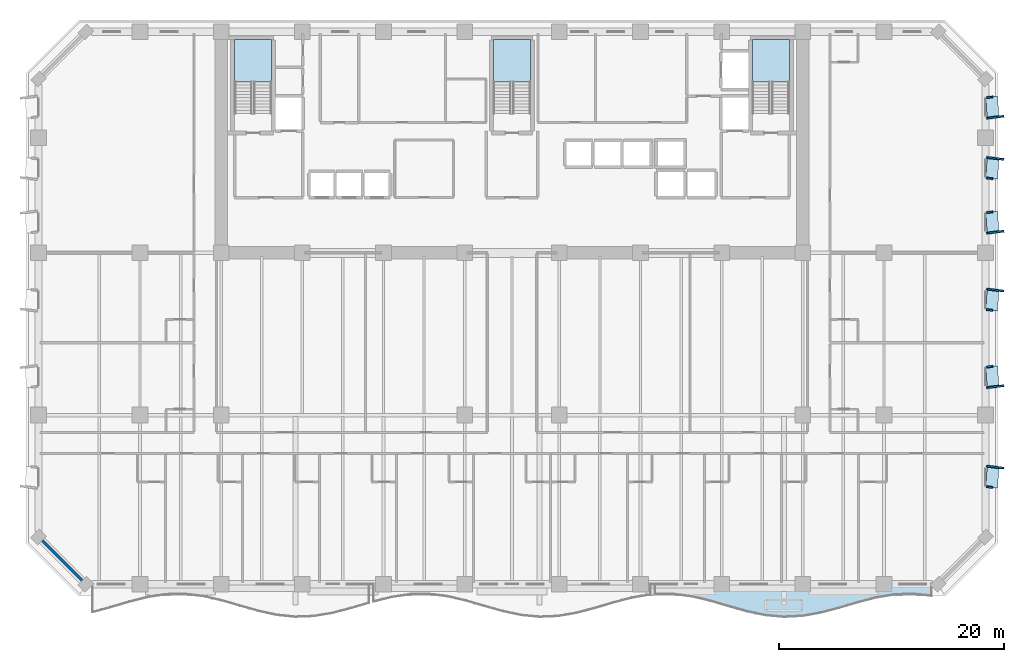
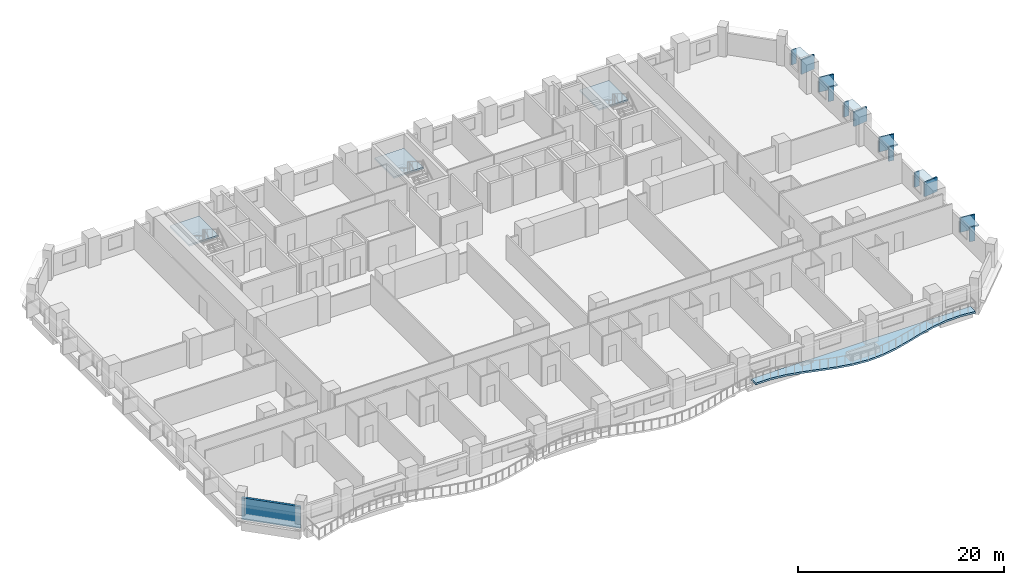
# One storey, part 3 of 15: 18 plates, 4 slabs, 1 wall, 3 elements without a shape of their own.
"""IFC4 building model written with IfcOpenShell, lengths in metres."""

import ifcopenshell
import ifcopenshell.guid

model = None  # the IFC model being written
_history = None  # IfcOwnerHistory: only IFC2X3 demands one
_inside = {}  # id of a spatial element -> (the spatial element, [elements in it])
_under = {}  # id of a project, library or spatial element -> (it, [spatial elements below it])
_declared = {}  # id of a project -> (the project, [libraries it declares])
_typed = {}  # id of a type object -> (the type object, [elements of that type])
_made_of = {}  # id of a material, layer set ... -> (it, [elements and type objects made of it])


def new_model(schema):
    """Start an empty IFC model of exactly this schema.

    Asked for "IFC4X3", IfcOpenShell would pick the latest addendum, in which some entities
    have other attributes; the version numbers below select the first issue.
    IFC2X3 requires an IfcOwnerHistory on every rooted entity: one is made here for all.
    """
    global model, _history
    if schema == "IFC4X3":
        model = ifcopenshell.file(schema_version=(4, 3, 0, 0))
    else:
        model = ifcopenshell.file(schema=schema)
    _inside.clear()
    _under.clear()
    _declared.clear()
    _typed.clear()
    _made_of.clear()
    _history = None
    if model.schema == "IFC2X3":
        org = make("IfcOrganization", Name="unknown")
        user = make(
            "IfcPersonAndOrganization",
            ThePerson=make("IfcPerson", FamilyName="unknown"),
            TheOrganization=org,
        )
        app = make(
            "IfcApplication",
            ApplicationDeveloper=org,
            Version="unknown",
            ApplicationFullName="unknown",
            ApplicationIdentifier="unknown",
        )
        _history = make(
            "IfcOwnerHistory",
            OwningUser=user,
            OwningApplication=app,
            ChangeAction="ADDED",
            CreationDate=0,
        )
    return model


def make(cls, **values):
    """One entity of the class cls with the attributes given. An attribute that is None is left unset."""
    return model.create_entity(
        cls, **{name: value for name, value in values.items() if value is not None}
    )


def rooted(cls, **values):
    """An entity with a GlobalId (a new one), such as an element, a storey or a relation."""
    return make(cls, GlobalId=ifcopenshell.guid.new(), OwnerHistory=_history, **values)


def si_unit(unit_type, name, prefix=None):
    """IfcSIUnit, for example si_unit("LENGTHUNIT", "METRE", prefix="MILLI")."""
    return make("IfcSIUnit", UnitType=unit_type, Prefix=prefix, Name=name)


def assignment(units):
    """IfcUnitAssignment: the units of a project."""
    return None if units is None else make("IfcUnitAssignment", Units=units)


def point(xyz):
    """IfcCartesianPoint."""
    return None if xyz is None else make("IfcCartesianPoint", Coordinates=xyz)


def direction(xyz):
    """IfcDirection."""
    return None if xyz is None else make("IfcDirection", DirectionRatios=xyz)


def frame(location, z_axis=None, x_axis=None):
    """IfcAxis2Placement3D, a coordinate frame: its origin and axes. An axis left out is left unset."""
    return make(
        "IfcAxis2Placement3D",
        Location=point(location),
        Axis=direction(z_axis),
        RefDirection=direction(x_axis),
    )


def frame_2d(location, x_axis=None):
    """IfcAxis2Placement2D, a coordinate frame in the plane: its origin and x axis."""
    return make(
        "IfcAxis2Placement2D", Location=point(location), RefDirection=direction(x_axis)
    )


def origin():
    """The frame at (0, 0, 0) with its axes left unset."""
    return frame((0.0, 0.0, 0.0))


def origin_2d():
    """The frame at (0, 0) in the plane with its x axis left unset."""
    return frame_2d((0.0, 0.0))


def place(relative_to, where):
    """IfcLocalPlacement: puts the frame where relative to a parent placement (None: the world)."""
    return make(
        "IfcLocalPlacement", PlacementRelTo=relative_to, RelativePlacement=where
    )


def context(
    kind, dimensions, precision=None, world=None, true_north=None, identifier=None
):
    """IfcGeometricRepresentationContext, for example the 3D "Model" context."""
    return make(
        "IfcGeometricRepresentationContext",
        ContextIdentifier=identifier,
        ContextType=kind,
        CoordinateSpaceDimension=dimensions,
        Precision=precision,
        WorldCoordinateSystem=world,
        TrueNorth=true_north,
    )


def subcontext(parent, identifier, kind, view, scale=None):
    """IfcGeometricRepresentationSubContext, for example "Body" below "Model"."""
    return make(
        "IfcGeometricRepresentationSubContext",
        ContextIdentifier=identifier,
        ContextType=kind,
        ParentContext=parent,
        TargetScale=scale,
        TargetView=view,
    )


def project(units=None, contexts=None):
    """IfcProject with its units and contexts."""
    return rooted(
        "IfcProject",
        Name="project",
        RepresentationContexts=contexts,
        UnitsInContext=assignment(units),
    )


def spatial(cls, under=None, at=None, **own):
    """A site, building, storey or space (cls), placed at a placement, below another one or the project."""
    s = rooted(cls, ObjectPlacement=at, **own)
    if under is not None:
        _under.setdefault(under.id(), (under, []))[1].append(s)
    return s


def polyline(points):
    """IfcPolyline through the points."""
    return make("IfcPolyline", Points=[point(p) for p in points])


def profile(cls, at=None, kind="AREA", **sizes):
    """A parametric profile (cls). Its sizes go by their IFC names, for example OverallWidth=200.0."""
    return make(cls, ProfileType=kind, Position=at, **sizes)


def rectangle(**sizes):
    """IfcRectangleProfileDef."""
    return profile("IfcRectangleProfileDef", **sizes)


def outline(outer, holes=None, kind="AREA"):
    """IfcArbitraryClosedProfileDef: a profile drawn as a closed curve; with holes, ...WithVoids."""
    if holes is None:
        return make("IfcArbitraryClosedProfileDef", ProfileType=kind, OuterCurve=outer)
    return make(
        "IfcArbitraryProfileDefWithVoids",
        ProfileType=kind,
        OuterCurve=outer,
        InnerCurves=holes,
    )


def extrude(swept, where, along, depth):
    """IfcExtrudedAreaSolid: the profile swept, set in the frame where, extruded along a direction by depth."""
    return make(
        "IfcExtrudedAreaSolid",
        SweptArea=swept,
        Position=where,
        ExtrudedDirection=direction(along),
        Depth=depth,
    )


def shape(context_of_items, identifier, shape_type, items):
    """IfcShapeRepresentation: the items that make up one representation, for example the "Body"."""
    return make(
        "IfcShapeRepresentation",
        ContextOfItems=context_of_items,
        RepresentationIdentifier=identifier,
        RepresentationType=shape_type,
        Items=items,
    )


def material(Name=None, Category=None):
    """IfcMaterial."""
    return make("IfcMaterial", Name=Name, Category=Category)


def layer(
    of_material, thickness, ventilated=None, Name=None, Category=None, Priority=None
):
    """IfcMaterialLayer: one layer of a wall or slab, of a material (None: an air gap)."""
    return make(
        "IfcMaterialLayer",
        Material=of_material,
        LayerThickness=thickness,
        IsVentilated=ventilated,
        Name=Name,
        Category=Category,
        Priority=Priority,
    )


def layer_set(layers, Name=None):
    """IfcMaterialLayerSet."""
    return make("IfcMaterialLayerSet", MaterialLayers=layers, LayerSetName=Name)


def made_of(thing, what):
    """Note that an element or type object is made of a material, layer set ...; save() writes the relation."""
    if what is not None:
        _made_of.setdefault(what.id(), (what, []))[1].append(thing)
    return thing


def type_object(cls, material=None, **own):
    """A type object (cls), such as IfcWallType, which elements share."""
    return made_of(rooted(cls, **own), material)


def element(
    cls,
    number,
    at=None,
    inside=None,
    cuts=None,
    type_object=None,
    material=None,
    context=None,
    identifier="Body",
    shape_type=None,
    held_by="IfcProductDefinitionShape",
    body=None,
    shapes=None,
    **own,
):
    """One element of the class cls, such as IfcWall. Its Tag is "e" and its number.

    at: its placement. inside: the storey or other place that contains it. cuts: it is an
    opening in that element (IfcRelVoidsElement). A single representation is given by context,
    identifier, shape_type and body (its items); several are given by shapes. held_by: the class
    of the entity that holds the representations. save() writes the other relations.
    """
    e = rooted(cls, Tag="e%d" % number, ObjectPlacement=at, **own)
    if body is not None:
        shapes = [shape(context, identifier, shape_type, body)]
    if shapes is not None:
        e.Representation = make(held_by, Representations=shapes)
    if inside is not None:
        _inside.setdefault(inside.id(), (inside, []))[1].append(e)
    if cuts is not None:
        rooted(
            "IfcRelVoidsElement", RelatingBuildingElement=cuts, RelatedOpeningElement=e
        )
    if type_object is not None:
        _typed.setdefault(type_object.id(), (type_object, []))[1].append(e)
    return made_of(e, material)


def aggregate(whole, parts):
    """IfcRelAggregates: a whole, such as a stair, and the parts it consists of."""
    return rooted("IfcRelAggregates", RelatingObject=whole, RelatedObjects=parts)


def save(model, path):
    """Write the relations noted so far, then the file.

    IfcRelAggregates (storeys below a building ...), IfcRelContainedInSpatialStructure (elements
    in a storey), IfcRelDefinesByType, IfcRelAssociatesMaterial and IfcRelDeclares: one each for
    every whole, place, type object, material and project.
    """
    for whole, parts in _under.values():
        aggregate(whole, parts)
    for where, things in _inside.values():
        rooted(
            "IfcRelContainedInSpatialStructure",
            RelatedElements=things,
            RelatingStructure=where,
        )
    for kind, things in _typed.values():
        rooted("IfcRelDefinesByType", RelatedObjects=things, RelatingType=kind)
    for what, things in _made_of.values():
        rooted("IfcRelAssociatesMaterial", RelatedObjects=things, RelatingMaterial=what)
    for by, libraries in _declared.values():
        rooted("IfcRelDeclares", RelatingContext=by, RelatedDefinitions=libraries)
    model.write(path)


model = new_model("IFC4")

# Units and contexts
model_context = context("Model", 3, precision=1e-05, world=origin(), true_north=direction((0.0, 1.0)))
body_context = subcontext(model_context, "Body", "Model", "MODEL_VIEW")
ifc_project = project(units=[si_unit("LENGTHUNIT", "METRE"), si_unit("AREAUNIT", "SQUARE_METRE"), si_unit("VOLUMEUNIT", "CUBIC_METRE"), si_unit("PLANEANGLEUNIT", "RADIAN"), si_unit("MASSUNIT", "GRAM", prefix="KILO")], contexts=[model_context])

# Site, building, storey
site_placement = place(None, origin())
site = spatial("IfcSite", under=ifc_project, at=site_placement, CompositionType="ELEMENT")
building_placement = place(site_placement, origin())
building = spatial("IfcBuilding", under=site, at=building_placement, Name="Kaelvorn Grand Hotel", CompositionType="ELEMENT")
storey_placement = place(building_placement, frame((0.0, 0.0, 53.89990234375)))
storey = spatial("IfcBuildingStorey", under=building, at=storey_placement, Name="L11", CompositionType="ELEMENT", Elevation=53.89990234375)

# Plates
ifc_material_1 = material(Name="Precast concrete C45/55", Category="concrete")
ifc_layer_1 = layer(ifc_material_1, 0.159912109375)
ifc_layer_set_1 = layer_set([ifc_layer_1], Name="Precast concrete C45/55")
plate_type_1 = type_object("IfcPlateType", Name="PL-FRAME-DEEP-1550", PredefinedType="USERDEFINED", material=ifc_layer_set_1)
for number, where, z_axis, x_axis, name in (
    (1, (84.864990234375, 10.389892578125, 0.68994140625), (0.0, 0.0, 1.0), (0.121869343405, 0.992546151641, 0.0), "L11 Tilted Precast Window Frame Fin R-E01"),
    (2, (84.864990234375, 17.52001953125, 0.68994140625), (0.0, 0.0, 1.0), (-0.121869343405, 0.992546151641, 0.0), "L11 Tilted Precast Window Frame Fin L-E02"),
    (3, (84.864990234375, 26.10009765625, 0.68994140625), (0.0, 0.0, 1.0), (0.121869343405, 0.992546151641, 0.0), "L11 Tilted Precast Window Frame Fin R-E03"),
    (4, (84.864990234375, 31.22509765625, 0.68994140625), (0.0, 0.0, 1.0), (-0.121869343405, 0.992546151641, 0.0), "L11 Tilted Precast Window Frame Fin L-E04"),
    (5, (84.864990234375, 37.77490234375, 0.68994140625), (0.0, 0.0, 1.0), (0.121869343405, 0.992546151641, 0.0), "L11 Tilted Precast Window Frame Fin R-E05"),
    (6, (84.864990234375, 41.425048828125, 0.68994140625), (0.0, 0.0, 1.0), (-0.121869343405, 0.992546151641, 0.0), "L11 Tilted Precast Window Frame Fin L-E06"),
):
    element("IfcPlate", number, at=place(storey_placement, frame(where, z_axis=z_axis, x_axis=x_axis)), inside=storey, type_object=plate_type_1, Name=name, ObjectType="FLANGE_PLATE", PredefinedType="USERDEFINED", context=body_context, shape_type="SweptSolid", body=[
        extrude(rectangle(XDim=0.159912109375, YDim=1.550048828125, at=origin_2d()), origin(), (0.0, 0.0, 1.0), 1.719970703125),
    ])
ifc_layer_2 = layer(ifc_material_1, 0.159912109375)
ifc_layer_set_2 = layer_set([ifc_layer_2], Name="Precast concrete C45/55")
plate_type_2 = type_object("IfcPlateType", Name="PL-FRAME-HEAD-1050", PredefinedType="USERDEFINED", material=ifc_layer_set_2)
for number, where, z_axis, x_axis, name in (
    (7, (84.614990234375, 9.5, 2.25), (0.0, 0.0, 1.0), (0.054950179912, 0.998489097451, 0.0), "L11 Precast Window Frame Head Hood H-E01"),
    (8, (84.614990234375, 18.409912109375, 2.25), (0.0, 0.0, 1.0), (-0.054950179912, 0.998489097451, 0.0), "L11 Precast Window Frame Head Hood H-E02"),
    (9, (84.614990234375, 25.2099609375, 2.25), (0.0, 0.0, 1.0), (0.054950179912, 0.998489097451, 0.0), "L11 Precast Window Frame Head Hood H-E03"),
    (10, (84.614990234375, 32.114990234375, 2.25), (0.0, 0.0, 1.0), (-0.054950179912, 0.998489097451, 0.0), "L11 Precast Window Frame Head Hood H-E04"),
    (11, (84.614990234375, 36.885009765625, 2.25), (0.0, 0.0, 1.0), (0.054950179912, 0.998489097451, 0.0), "L11 Precast Window Frame Head Hood H-E05"),
    (12, (84.614990234375, 42.31494140625, 2.25), (0.0, 0.0, 1.0), (-0.054950179912, 0.998489097451, 0.0), "L11 Precast Window Frame Head Hood H-E06"),
):
    element("IfcPlate", number, at=place(storey_placement, frame(where, z_axis=z_axis, x_axis=x_axis)), inside=storey, type_object=plate_type_2, Name=name, ObjectType="FLANGE_PLATE", PredefinedType="USERDEFINED", context=body_context, shape_type="SweptSolid", body=[
        extrude(rectangle(XDim=1.860107421875, YDim=1.050048828125, at=origin_2d()), origin(), (0.0, 0.0, 1.0), 0.159912109375),
    ])
ifc_layer_3 = layer(ifc_material_1, 0.159912109375)
ifc_layer_set_3 = layer_set([ifc_layer_3], Name="Precast concrete C45/55")
plate_type_3 = type_object("IfcPlateType", Name="PL-FRAME-SHAL-550", PredefinedType="USERDEFINED", material=ifc_layer_set_3)
for number, where, z_axis, x_axis, name in (
    (13, (84.364990234375, 8.610107421875, 0.68994140625), (0.0, 0.0, 1.0), (0.121869343405, 0.992546151641, 0.0), "L11 Tilted Precast Window Frame Fin L-E01"),
    (14, (84.364990234375, 19.300048828125, 0.68994140625), (0.0, 0.0, 1.0), (-0.121869343405, 0.992546151641, 0.0), "L11 Tilted Precast Window Frame Fin R-E02"),
    (15, (84.364990234375, 24.320068359375, 0.68994140625), (0.0, 0.0, 1.0), (0.121869343405, 0.992546151641, 0.0), "L11 Tilted Precast Window Frame Fin L-E03"),
    (16, (84.364990234375, 33.0048828125, 0.68994140625), (0.0, 0.0, 1.0), (-0.121869343405, 0.992546151641, 0.0), "L11 Tilted Precast Window Frame Fin R-E04"),
    (17, (84.364990234375, 35.9951171875, 0.68994140625), (0.0, 0.0, 1.0), (0.121869343405, 0.992546151641, 0.0), "L11 Tilted Precast Window Frame Fin L-E05"),
    (18, (84.364990234375, 43.205078125, 0.68994140625), (0.0, 0.0, 1.0), (-0.121869343405, 0.992546151641, 0.0), "L11 Tilted Precast Window Frame Fin R-E06"),
):
    element("IfcPlate", number, at=place(storey_placement, frame(where, z_axis=z_axis, x_axis=x_axis)), inside=storey, type_object=plate_type_3, Name=name, ObjectType="FLANGE_PLATE", PredefinedType="USERDEFINED", context=body_context, shape_type="SweptSolid", body=[
        extrude(rectangle(XDim=0.159912109375, YDim=0.550048828125, at=origin_2d()), origin(), (0.0, 0.0, 1.0), 1.719970703125),
    ])

# Slab
ifc_material_2 = material(Name="Concrete C40/50", Category="concrete")
ifc_layer_4 = layer(ifc_material_2, 0.219970703125)
ifc_layer_set_4 = layer_set([ifc_layer_4], Name="Concrete C40/50")
slab_type_1 = type_object("IfcSlabType", Name="SLB-BALC-220-C40", PredefinedType="FLOOR", material=ifc_layer_set_4)
slab_1_placement = place(storey_placement, frame((0.0, 0.0, -0.219970703125)))
element("IfcSlab", 19, at=slab_1_placement, inside=storey, type_object=slab_type_1, Name="L11 Scalloped Wave Balcony Slab 3", PredefinedType="FLOOR", context=body_context, shape_type="SweptSolid", body=[
    extrude(outline(polyline([(54.666748046875, -0.884521484375), (56.30224609375, -0.873779296875), (57.937744140625, -1.08544921875), (59.5732421875, -1.47265625), (61.208984375, -1.94921875), (62.844482421875, -2.4091796875), (64.47998046875, -2.75048828125), (66.115478515625, -2.8974609375), (67.751220703125, -2.817138671875), (69.38671875, -2.52783203125), (71.022216796875, -2.09326171875), (72.65771484375, -1.6103515625), (74.293212890625, -1.186279296875), (75.928955078125, -0.9150390625), (77.564453125, -0.857177734375), (79.199951171875, -1.025146484375), (79.199951171875, 0.0), (54.666748046875, 0.0), (54.666748046875, -0.884521484375)])), origin(), (0.0, 0.0, 1.0), 0.219970703125),
])

# Stair, slab
stair_type = type_object("IfcStairType", Name="STR-DOG-1560-R06", PredefinedType="HALF_TURN_STAIR", material=ifc_material_2)
stair_1_placement = place(storey_placement, origin())
stair_1 = element("IfcStair", 20, at=stair_1_placement, inside=storey, type_object=stair_type, Name="L11 West Core Exit Stair ST1", PredefinedType="HALF_TURN_STAIR")
ifc_layer_5 = layer(ifc_material_2, 0.199951171875)
ifc_layer_set_5 = layer_set([ifc_layer_5], Name="Concrete C40/50")
slab_type_2 = type_object("IfcSlabType", Name="SLB-LAND-200-C40", PredefinedType="LANDING", material=ifc_layer_set_5)
slab_2_placement = place(storey_placement, frame((0.0, 0.0, 1.675048828125)))
slab_2 = element("IfcSlab", 21, at=slab_2_placement, type_object=slab_type_2, Name="ST1 landing 1", PredefinedType="LANDING", context=body_context, shape_type="SweptSolid", body=[
    extrude(outline(polyline([(20.679931640625, 44.56005859375), (20.679931640625, 48.300048828125), (17.39990234375, 48.300048828125), (17.39990234375, 44.56005859375), (20.679931640625, 44.56005859375)])), origin(), (0.0, 0.0, 1.0), 0.199951171875),
])
aggregate(stair_1, [slab_2])

stair_2_placement = place(storey_placement, origin())
stair_2 = element("IfcStair", 22, at=stair_2_placement, inside=storey, type_object=stair_type, Name="L11 Central Core Exit Stair ST2", PredefinedType="HALF_TURN_STAIR")
slab_3_placement = place(storey_placement, frame((0.0, 0.0, 1.675048828125)))
slab_3 = element("IfcSlab", 23, at=slab_3_placement, type_object=slab_type_2, Name="ST2 landing 1", PredefinedType="LANDING", context=body_context, shape_type="SweptSolid", body=[
    extrude(outline(polyline([(43.639892578125, 44.56005859375), (43.639892578125, 48.300048828125), (40.360107421875, 48.300048828125), (40.360107421875, 44.56005859375), (43.639892578125, 44.56005859375)])), origin(), (0.0, 0.0, 1.0), 0.199951171875),
])
aggregate(stair_2, [slab_3])

stair_3_placement = place(storey_placement, origin())
stair_3 = element("IfcStair", 24, at=stair_3_placement, inside=storey, type_object=stair_type, Name="L11 East Core Exit Stair ST3", PredefinedType="HALF_TURN_STAIR")
slab_4_placement = place(storey_placement, frame((0.0, 0.0, 1.675048828125)))
slab_4 = element("IfcSlab", 25, at=slab_4_placement, type_object=slab_type_2, Name="ST3 landing 1", PredefinedType="LANDING", context=body_context, shape_type="SweptSolid", body=[
    extrude(outline(polyline([(66.60009765625, 44.56005859375), (66.60009765625, 48.300048828125), (63.320068359375, 48.300048828125), (63.320068359375, 44.56005859375), (66.60009765625, 44.56005859375)])), origin(), (0.0, 0.0, 1.0), 0.199951171875),
])
aggregate(stair_3, [slab_4])

# Wall
ifc_layer_6 = layer(ifc_material_2, 0.260009765625)
ifc_layer_set_6 = layer_set([ifc_layer_6], Name="Concrete C40/50")
wall_type = type_object("IfcWallType", Name="WL-EXT-260-C40", PredefinedType="SOLIDWALL", material=ifc_layer_set_6)
wall_placement = place(storey_placement, frame((0.0, 4.199951171875, 0.0), z_axis=(0.0, 0.0, 1.0), x_axis=(0.707106781187, -0.707106781187, 0.0)))
element("IfcWall", 26, at=wall_placement, inside=storey, type_object=wall_type, Name="L11 Exterior Architectural Concrete Wall 08", PredefinedType="SOLIDWALL", context=body_context, shape_type="SweptSolid", body=[
    extrude(rectangle(XDim=5.939697265625, YDim=0.260009765625, at=frame_2d((2.9697265625, 0.0))), origin(), (0.0, 0.0, 1.0), 2.56005859375),
])

save(model, "model.ifc")
